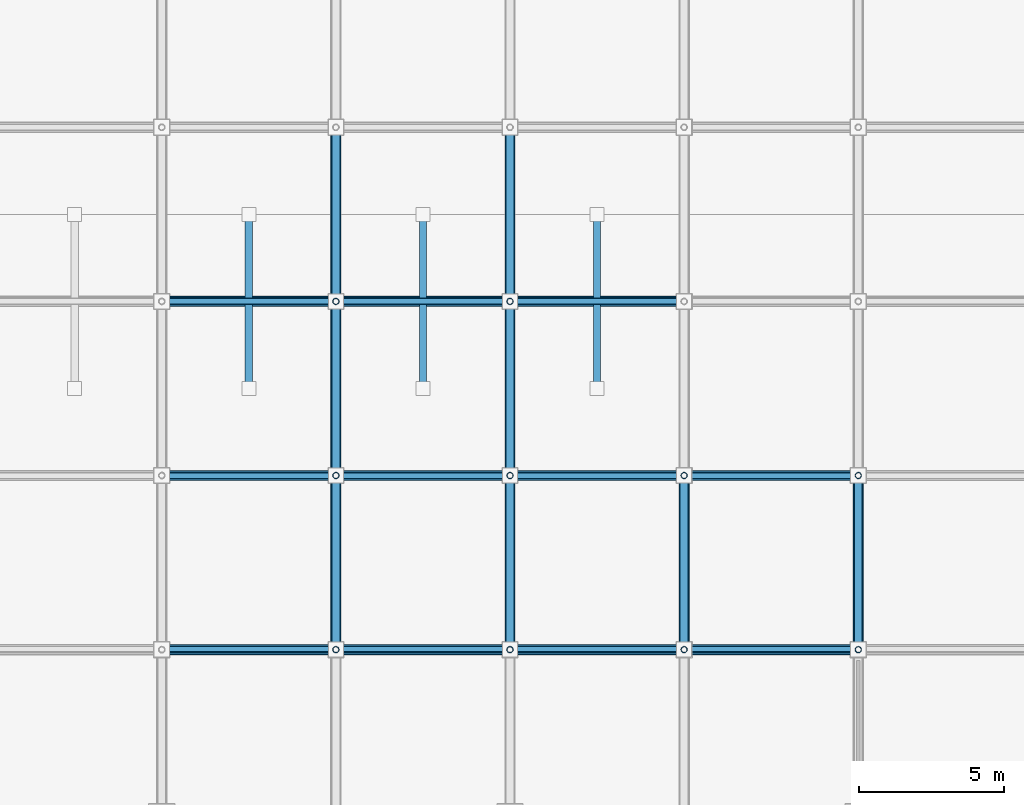
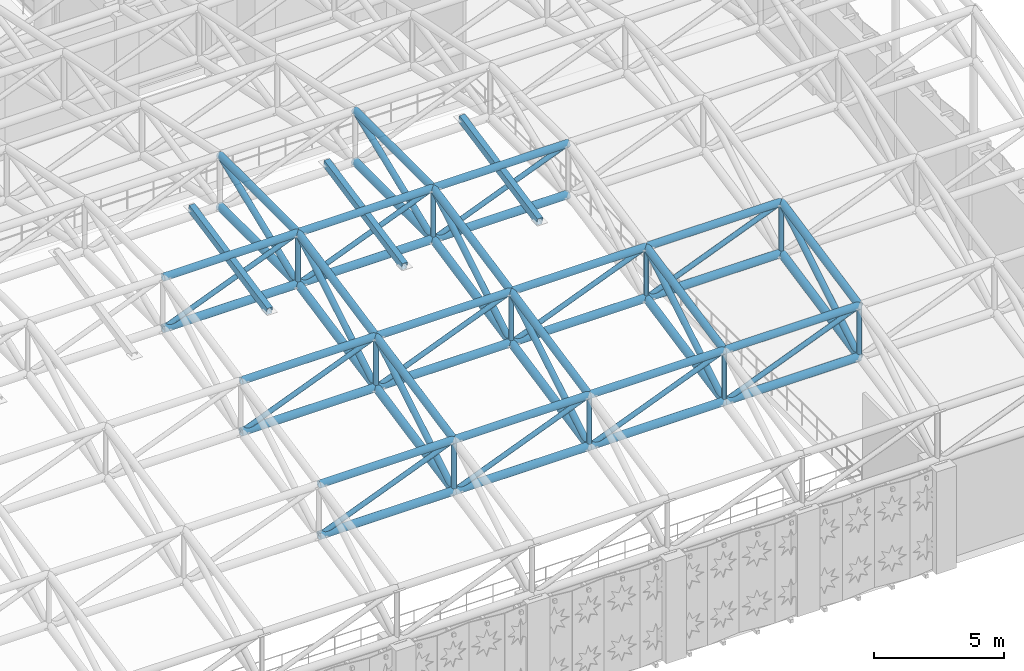
# One storey, part 20 of 112: 70 members.
"""IFC4 building model written with IfcOpenShell, lengths in metres."""

from ifc_helpers import new_model, si_unit, direction, frame, origin, origin_2d, place, context, subcontext, project, spatial, hollow_rectangle, hollow_circle, extrude, material, material_profile, profile_set, type_object, element, save


model = new_model("IFC4")

# Units and contexts
model_context = context("Model", 3, precision=1e-05, world=origin(), true_north=direction((0.0, 1.0)))
body_context = subcontext(model_context, "Body", "Model", "MODEL_VIEW")
ifc_project = project(units=[si_unit("LENGTHUNIT", "METRE"), si_unit("AREAUNIT", "SQUARE_METRE"), si_unit("VOLUMEUNIT", "CUBIC_METRE"), si_unit("PLANEANGLEUNIT", "RADIAN"), si_unit("MASSUNIT", "GRAM", prefix="KILO"), si_unit("THERMODYNAMICTEMPERATUREUNIT", "KELVIN"), si_unit("POWERUNIT", "WATT")], contexts=[model_context])

# Site, building, storey
site_placement = place(None, origin())
site = spatial("IfcSite", under=ifc_project, at=site_placement, CompositionType="ELEMENT")
building_placement = place(site_placement, origin())
building = spatial("IfcBuilding", under=site, at=building_placement, Name="Phaisarnlok Congress Hotel", CompositionType="ELEMENT")
storey_placement = place(building_placement, frame((0.0, 0.0, 19.800048828125)))
storey = spatial("IfcBuildingStorey", under=building, at=storey_placement, Name="L04", CompositionType="ELEMENT", Elevation=19.800048828125)

# Members
ifc_material = material(Name="Steel S355", Category="steel")
ifc_material_profile_1 = material_profile(ifc_material, hollow_circle(Radius=0.109619140625, WallThickness=0.012451171875, at=origin_2d()), Name="CHS 219.1x12.5")
ifc_profile_set_1 = profile_set([ifc_material_profile_1], Name="Steel S355")
member_type_1 = type_object("IfcMemberType", Name="MEM-BRC-CHS219", PredefinedType="BRACE", material=ifc_profile_set_1)
for number, where, z_axis, x_axis, name in (
    (1, (30.0, 48.0, 6.020751953125), (0.928481901832, 0.0, 0.371377648723), (0.0, 1.0, 0.0), "Congress Hall space frame web diagonal TB-02"),
    (2, (30.0, 54.0, 7.241455078125), (0.928481901832, 0.0, 0.371377648723), (0.0, 1.0, 0.0), "Congress Hall space frame web diagonal TB-02"),
    (3, (30.0, 60.0, 8.462158203125), (0.928481901832, 0.0, 0.371377648723), (0.0, 1.0, 0.0), "Congress Hall space frame web diagonal TB-02"),
):
    element("IfcMember", number, at=place(storey_placement, frame(where, z_axis=z_axis, x_axis=x_axis)), inside=storey, type_object=member_type_1, Name=name, PredefinedType="BRACE", context=body_context, shape_type="SweptSolid", body=[
        extrude(hollow_circle(Radius=0.109619140625, WallThickness=0.012451171875, at=origin_2d()), origin(), (0.0, 0.0, 1.0), 6.462158203125),
    ])
member_1_placement = place(storey_placement, frame((36.0, 48.0, 6.020751953125), z_axis=(0.0, 0.0, 1.0), x_axis=(1.0, 0.0, 0.0)))
element("IfcMember", 4, at=member_1_placement, inside=storey, type_object=member_type_1, Name="Congress Hall space frame vertical brace TB-02", PredefinedType="BRACE", context=body_context, shape_type="SweptSolid", body=[
    extrude(hollow_circle(Radius=0.109619140625, WallThickness=0.012451171875, at=origin_2d()), origin(), (0.0, 0.0, 1.0), 2.39990234375),
])
member_2_placement = place(storey_placement, frame((36.0, 48.0, 6.020751953125), z_axis=(0.928481901832, 0.0, 0.371377648723), x_axis=(0.0, 1.0, 0.0)))
element("IfcMember", 5, at=member_2_placement, inside=storey, type_object=member_type_1, Name="Congress Hall space frame web diagonal TB-02", PredefinedType="BRACE", context=body_context, shape_type="SweptSolid", body=[
    extrude(hollow_circle(Radius=0.109619140625, WallThickness=0.012451171875, at=origin_2d()), origin(), (0.0, 0.0, 1.0), 6.462158203125),
])
member_3_placement = place(storey_placement, frame((36.0, 54.0, 7.241455078125), z_axis=(0.0, 0.0, 1.0), x_axis=(1.0, 0.0, 0.0)))
element("IfcMember", 6, at=member_3_placement, inside=storey, type_object=member_type_1, Name="Congress Hall space frame vertical brace TB-02", PredefinedType="BRACE", context=body_context, shape_type="SweptSolid", body=[
    extrude(hollow_circle(Radius=0.109619140625, WallThickness=0.012451171875, at=origin_2d()), origin(), (0.0, 0.0, 1.0), 2.39990234375),
])
member_4_placement = place(storey_placement, frame((36.0, 54.0, 7.241455078125), z_axis=(0.928481901832, 0.0, 0.371377648723), x_axis=(0.0, 1.0, 0.0)))
element("IfcMember", 7, at=member_4_placement, inside=storey, type_object=member_type_1, Name="Congress Hall space frame web diagonal TB-02", PredefinedType="BRACE", context=body_context, shape_type="SweptSolid", body=[
    extrude(hollow_circle(Radius=0.109619140625, WallThickness=0.012451171875, at=origin_2d()), origin(), (0.0, 0.0, 1.0), 6.462158203125),
])
member_5_placement = place(storey_placement, frame((36.0, 60.0, 8.462158203125), z_axis=(0.0, 0.0, 1.0), x_axis=(1.0, 0.0, 0.0)))
element("IfcMember", 8, at=member_5_placement, inside=storey, type_object=member_type_1, Name="Congress Hall space frame vertical brace TB-02", PredefinedType="BRACE", context=body_context, shape_type="SweptSolid", body=[
    extrude(hollow_circle(Radius=0.109619140625, WallThickness=0.012451171875, at=origin_2d()), origin(), (0.0, 0.0, 1.0), 2.39990234375),
])
member_6_placement = place(storey_placement, frame((36.0, 60.0, 8.462158203125), z_axis=(0.928481901832, 0.0, 0.371377648723), x_axis=(0.0, 1.0, 0.0)))
element("IfcMember", 9, at=member_6_placement, inside=storey, type_object=member_type_1, Name="Congress Hall space frame web diagonal TB-02", PredefinedType="BRACE", context=body_context, shape_type="SweptSolid", body=[
    extrude(hollow_circle(Radius=0.109619140625, WallThickness=0.012451171875, at=origin_2d()), origin(), (0.0, 0.0, 1.0), 6.462158203125),
])
member_7_placement = place(storey_placement, frame((42.0, 48.0, 6.020751953125), z_axis=(0.0, 0.0, 1.0), x_axis=(1.0, 0.0, 0.0)))
element("IfcMember", 10, at=member_7_placement, inside=storey, type_object=member_type_1, Name="Congress Hall space frame vertical brace TB-02", PredefinedType="BRACE", context=body_context, shape_type="SweptSolid", body=[
    extrude(hollow_circle(Radius=0.109619140625, WallThickness=0.012451171875, at=origin_2d()), origin(), (0.0, 0.0, 1.0), 2.39990234375),
])
member_8_placement = place(storey_placement, frame((42.0, 48.0, 6.020751953125), z_axis=(0.928481901832, 0.0, 0.371377648723), x_axis=(0.0, 1.0, 0.0)))
element("IfcMember", 11, at=member_8_placement, inside=storey, type_object=member_type_1, Name="Congress Hall space frame web diagonal TB-02", PredefinedType="BRACE", context=body_context, shape_type="SweptSolid", body=[
    extrude(hollow_circle(Radius=0.109619140625, WallThickness=0.012451171875, at=origin_2d()), origin(), (0.0, 0.0, 1.0), 6.462158203125),
])
member_9_placement = place(storey_placement, frame((42.0, 54.0, 7.241455078125), z_axis=(0.0, 0.0, 1.0), x_axis=(1.0, 0.0, 0.0)))
element("IfcMember", 12, at=member_9_placement, inside=storey, type_object=member_type_1, Name="Congress Hall space frame vertical brace TB-02", PredefinedType="BRACE", context=body_context, shape_type="SweptSolid", body=[
    extrude(hollow_circle(Radius=0.109619140625, WallThickness=0.012451171875, at=origin_2d()), origin(), (0.0, 0.0, 1.0), 2.39990234375),
])
member_10_placement = place(storey_placement, frame((42.0, 54.0, 7.241455078125), z_axis=(0.928481901832, 0.0, 0.371377648723), x_axis=(0.0, 1.0, 0.0)))
element("IfcMember", 13, at=member_10_placement, inside=storey, type_object=member_type_1, Name="Congress Hall space frame web diagonal TB-02", PredefinedType="BRACE", context=body_context, shape_type="SweptSolid", body=[
    extrude(hollow_circle(Radius=0.109619140625, WallThickness=0.012451171875, at=origin_2d()), origin(), (0.0, 0.0, 1.0), 6.462158203125),
])
member_11_placement = place(storey_placement, frame((42.0, 60.0, 8.462158203125), z_axis=(0.0, 0.0, 1.0), x_axis=(1.0, 0.0, 0.0)))
element("IfcMember", 14, at=member_11_placement, inside=storey, type_object=member_type_1, Name="Congress Hall space frame vertical brace TB-02", PredefinedType="BRACE", context=body_context, shape_type="SweptSolid", body=[
    extrude(hollow_circle(Radius=0.109619140625, WallThickness=0.012451171875, at=origin_2d()), origin(), (0.0, 0.0, 1.0), 2.39990234375),
])
member_12_placement = place(storey_placement, frame((42.0, 60.0, 8.462158203125), z_axis=(0.928481901832, 0.0, 0.371377648723), x_axis=(0.0, 1.0, 0.0)))
element("IfcMember", 15, at=member_12_placement, inside=storey, type_object=member_type_1, Name="Congress Hall space frame web diagonal TB-02", PredefinedType="BRACE", context=body_context, shape_type="SweptSolid", body=[
    extrude(hollow_circle(Radius=0.109619140625, WallThickness=0.012451171875, at=origin_2d()), origin(), (0.0, 0.0, 1.0), 6.462158203125),
])
member_13_placement = place(storey_placement, frame((48.0, 48.0, 6.020751953125), z_axis=(0.0, 0.0, 1.0), x_axis=(1.0, 0.0, 0.0)))
element("IfcMember", 16, at=member_13_placement, inside=storey, type_object=member_type_1, Name="Congress Hall space frame vertical brace TB-02", PredefinedType="BRACE", context=body_context, shape_type="SweptSolid", body=[
    extrude(hollow_circle(Radius=0.109619140625, WallThickness=0.012451171875, at=origin_2d()), origin(), (0.0, 0.0, 1.0), 2.39990234375),
])
member_14_placement = place(storey_placement, frame((48.0, 48.0, 6.020751953125), z_axis=(0.928481901832, 0.0, 0.371377648723), x_axis=(0.0, 1.0, 0.0)))
element("IfcMember", 17, at=member_14_placement, inside=storey, type_object=member_type_1, Name="Congress Hall space frame web diagonal TB-02", PredefinedType="BRACE", context=body_context, shape_type="SweptSolid", body=[
    extrude(hollow_circle(Radius=0.109619140625, WallThickness=0.012451171875, at=origin_2d()), origin(), (0.0, 0.0, 1.0), 6.462158203125),
])
member_15_placement = place(storey_placement, frame((48.0, 54.0, 7.241455078125), z_axis=(0.0, 0.0, 1.0), x_axis=(1.0, 0.0, 0.0)))
element("IfcMember", 18, at=member_15_placement, inside=storey, type_object=member_type_1, Name="Congress Hall space frame vertical brace TB-02", PredefinedType="BRACE", context=body_context, shape_type="SweptSolid", body=[
    extrude(hollow_circle(Radius=0.109619140625, WallThickness=0.012451171875, at=origin_2d()), origin(), (0.0, 0.0, 1.0), 2.39990234375),
])
member_16_placement = place(storey_placement, frame((48.0, 54.0, 7.241455078125), z_axis=(0.928481901832, 0.0, 0.371377648723), x_axis=(0.0, 1.0, 0.0)))
element("IfcMember", 19, at=member_16_placement, inside=storey, type_object=member_type_1, Name="Congress Hall space frame web diagonal TB-02", PredefinedType="BRACE", context=body_context, shape_type="SweptSolid", body=[
    extrude(hollow_circle(Radius=0.109619140625, WallThickness=0.012451171875, at=origin_2d()), origin(), (0.0, 0.0, 1.0), 6.462158203125),
])
for number, where, z_axis, x_axis, name in (
    (20, (54.0, 48.0, 6.020751953125), (0.0, 0.0, 1.0), (1.0, 0.0, 0.0), "Congress Hall space frame vertical brace TB-02"),
    (21, (54.0, 54.0, 7.241455078125), (0.0, 0.0, 1.0), (1.0, 0.0, 0.0), "Congress Hall space frame vertical brace TB-02"),
):
    element("IfcMember", number, at=place(storey_placement, frame(where, z_axis=z_axis, x_axis=x_axis)), inside=storey, type_object=member_type_1, Name=name, PredefinedType="BRACE", context=body_context, shape_type="SweptSolid", body=[
        extrude(hollow_circle(Radius=0.109619140625, WallThickness=0.012451171875, at=origin_2d()), origin(), (0.0, 0.0, 1.0), 2.39990234375),
    ])
ifc_material_profile_2 = material_profile(ifc_material, hollow_circle(Radius=0.136474609375, WallThickness=0.01611328125, at=origin_2d()), Name="CHS 273x16")
ifc_profile_set_2 = profile_set([ifc_material_profile_2], Name="Steel S355")
member_type_2 = type_object("IfcMemberType", Name="MEM-BRC-CHS273", PredefinedType="BRACE", material=ifc_profile_set_2)
for number, where, z_axis, x_axis, name in (
    (22, (36.0, 48.0, 6.020751953125), (0.0, 0.856192975252, 0.516656161417), (-1.0, 0.0, 0.0), "Congress Hall space frame raking brace TB-03"),
    (23, (36.0, 54.0, 7.241455078125), (0.0, 0.856192975252, 0.516656161417), (-1.0, 0.0, 0.0), "Congress Hall space frame raking brace TB-03"),
):
    element("IfcMember", number, at=place(storey_placement, frame(where, z_axis=z_axis, x_axis=x_axis)), inside=storey, type_object=member_type_2, Name=name, PredefinedType="BRACE", context=body_context, shape_type="SweptSolid", body=[
        extrude(hollow_circle(Radius=0.136474609375, WallThickness=0.01611328125, at=origin_2d()), origin(), (0.0, 0.0, 1.0), 7.0078125),
    ])
member_17_placement = place(storey_placement, frame((36.0, 60.0, 8.462158203125), z_axis=(0.0, 0.928481901832, 0.371377648723), x_axis=(-1.0, 0.0, 0.0)))
element("IfcMember", 24, at=member_17_placement, inside=storey, type_object=member_type_2, Name="Congress Hall space frame raking brace TB-03", PredefinedType="BRACE", context=body_context, shape_type="SweptSolid", body=[
    extrude(hollow_circle(Radius=0.136474609375, WallThickness=0.01611328125, at=origin_2d()), origin(), (0.0, 0.0, 1.0), 6.462158203125),
])
for number, where, z_axis, x_axis, name in (
    (25, (42.0, 48.0, 6.020751953125), (0.0, 0.856192975252, 0.516656161417), (-1.0, 0.0, 0.0), "Congress Hall space frame raking brace TB-03"),
    (26, (42.0, 54.0, 7.241455078125), (0.0, 0.856192975252, 0.516656161417), (-1.0, 0.0, 0.0), "Congress Hall space frame raking brace TB-03"),
):
    element("IfcMember", number, at=place(storey_placement, frame(where, z_axis=z_axis, x_axis=x_axis)), inside=storey, type_object=member_type_2, Name=name, PredefinedType="BRACE", context=body_context, shape_type="SweptSolid", body=[
        extrude(hollow_circle(Radius=0.136474609375, WallThickness=0.01611328125, at=origin_2d()), origin(), (0.0, 0.0, 1.0), 7.0078125),
    ])
member_18_placement = place(storey_placement, frame((42.0, 60.0, 8.462158203125), z_axis=(0.0, 0.928481901832, 0.371377648723), x_axis=(-1.0, 0.0, 0.0)))
element("IfcMember", 27, at=member_18_placement, inside=storey, type_object=member_type_2, Name="Congress Hall space frame raking brace TB-03", PredefinedType="BRACE", context=body_context, shape_type="SweptSolid", body=[
    extrude(hollow_circle(Radius=0.136474609375, WallThickness=0.01611328125, at=origin_2d()), origin(), (0.0, 0.0, 1.0), 6.462158203125),
])
for number, where, z_axis, x_axis, name in (
    (28, (48.0, 48.0, 6.020751953125), (0.0, 0.856192975252, 0.516656161417), (-1.0, 0.0, 0.0), "Congress Hall space frame raking brace TB-03"),
    (29, (54.0, 48.0, 6.020751953125), (0.0, 0.856192975252, 0.516656161417), (-1.0, 0.0, 0.0), "Congress Hall space frame raking brace TB-03"),
):
    element("IfcMember", number, at=place(storey_placement, frame(where, z_axis=z_axis, x_axis=x_axis)), inside=storey, type_object=member_type_2, Name=name, PredefinedType="BRACE", context=body_context, shape_type="SweptSolid", body=[
        extrude(hollow_circle(Radius=0.136474609375, WallThickness=0.01611328125, at=origin_2d()), origin(), (0.0, 0.0, 1.0), 7.0078125),
    ])
ifc_material_profile_3 = material_profile(ifc_material, hollow_circle(Radius=0.161865234375, WallThickness=0.01611328125, at=origin_2d()), Name="CHS 323.9x16")
ifc_profile_set_3 = profile_set([ifc_material_profile_3], Name="Steel S355")
member_type_3 = type_object("IfcMemberType", Name="MEM-CHD-CHS324", PredefinedType="CHORD", material=ifc_profile_set_3)
for number, where, z_axis, x_axis, name in (
    (30, (30.0, 48.0, 8.420654296875), (1.0, 0.0, 0.0), (0.0, 1.0, 0.0), "Congress Hall space frame top chord TC-02"),
    (31, (30.0, 54.0, 9.641357421875), (1.0, 0.0, 0.0), (0.0, 1.0, 0.0), "Congress Hall space frame top chord TC-02"),
    (32, (30.0, 60.0, 10.862060546875), (1.0, 0.0, 0.0), (0.0, 1.0, 0.0), "Congress Hall space frame top chord TC-02"),
    (33, (36.0, 48.0, 8.420654296875), (1.0, 0.0, 0.0), (0.0, 1.0, 0.0), "Congress Hall space frame top chord TC-02"),
):
    element("IfcMember", number, at=place(storey_placement, frame(where, z_axis=z_axis, x_axis=x_axis)), inside=storey, type_object=member_type_3, Name=name, PredefinedType="CHORD", context=body_context, shape_type="SweptSolid", body=[
        extrude(hollow_circle(Radius=0.161865234375, WallThickness=0.01611328125, at=origin_2d()), origin(), (0.0, 0.0, 1.0), 6.0),
    ])
member_19_placement = place(storey_placement, frame((36.0, 48.0, 8.420654296875), z_axis=(0.0, 0.979925045119, 0.199366260807), x_axis=(-1.0, 0.0, 0.0)))
element("IfcMember", 34, at=member_19_placement, inside=storey, type_object=member_type_3, Name="Congress Hall space frame top chord TC-02", PredefinedType="CHORD", context=body_context, shape_type="SweptSolid", body=[
    extrude(hollow_circle(Radius=0.161865234375, WallThickness=0.01611328125, at=origin_2d()), origin(), (0.0, 0.0, 1.0), 6.122802734375),
])
member_20_placement = place(storey_placement, frame((36.0, 54.0, 9.641357421875), z_axis=(1.0, 0.0, 0.0), x_axis=(0.0, 1.0, 0.0)))
element("IfcMember", 35, at=member_20_placement, inside=storey, type_object=member_type_3, Name="Congress Hall space frame top chord TC-02", PredefinedType="CHORD", context=body_context, shape_type="SweptSolid", body=[
    extrude(hollow_circle(Radius=0.161865234375, WallThickness=0.01611328125, at=origin_2d()), origin(), (0.0, 0.0, 1.0), 6.0),
])
member_21_placement = place(storey_placement, frame((36.0, 54.0, 9.641357421875), z_axis=(0.0, 0.979925045119, 0.199366260807), x_axis=(-1.0, 0.0, 0.0)))
element("IfcMember", 36, at=member_21_placement, inside=storey, type_object=member_type_3, Name="Congress Hall space frame top chord TC-02", PredefinedType="CHORD", context=body_context, shape_type="SweptSolid", body=[
    extrude(hollow_circle(Radius=0.161865234375, WallThickness=0.01611328125, at=origin_2d()), origin(), (0.0, 0.0, 1.0), 6.122802734375),
])
for number, where, z_axis, x_axis, name in (
    (37, (36.0, 60.0, 10.862060546875), (1.0, 0.0, 0.0), (0.0, 1.0, 0.0), "Congress Hall space frame top chord TC-02"),
    (38, (36.0, 60.0, 10.862060546875), (0.0, 1.0, 0.0), (-1.0, 0.0, 0.0), "Congress Hall space frame top chord TC-02"),
    (39, (42.0, 48.0, 8.420654296875), (1.0, 0.0, 0.0), (0.0, 1.0, 0.0), "Congress Hall space frame top chord TC-02"),
):
    element("IfcMember", number, at=place(storey_placement, frame(where, z_axis=z_axis, x_axis=x_axis)), inside=storey, type_object=member_type_3, Name=name, PredefinedType="CHORD", context=body_context, shape_type="SweptSolid", body=[
        extrude(hollow_circle(Radius=0.161865234375, WallThickness=0.01611328125, at=origin_2d()), origin(), (0.0, 0.0, 1.0), 6.0),
    ])
member_22_placement = place(storey_placement, frame((42.0, 48.0, 8.420654296875), z_axis=(0.0, 0.979925045119, 0.199366260807), x_axis=(-1.0, 0.0, 0.0)))
element("IfcMember", 40, at=member_22_placement, inside=storey, type_object=member_type_3, Name="Congress Hall space frame top chord TC-02", PredefinedType="CHORD", context=body_context, shape_type="SweptSolid", body=[
    extrude(hollow_circle(Radius=0.161865234375, WallThickness=0.01611328125, at=origin_2d()), origin(), (0.0, 0.0, 1.0), 6.122802734375),
])
member_23_placement = place(storey_placement, frame((42.0, 54.0, 9.641357421875), z_axis=(1.0, 0.0, 0.0), x_axis=(0.0, 1.0, 0.0)))
element("IfcMember", 41, at=member_23_placement, inside=storey, type_object=member_type_3, Name="Congress Hall space frame top chord TC-02", PredefinedType="CHORD", context=body_context, shape_type="SweptSolid", body=[
    extrude(hollow_circle(Radius=0.161865234375, WallThickness=0.01611328125, at=origin_2d()), origin(), (0.0, 0.0, 1.0), 6.0),
])
member_24_placement = place(storey_placement, frame((42.0, 54.0, 9.641357421875), z_axis=(0.0, 0.979925045119, 0.199366260807), x_axis=(-1.0, 0.0, 0.0)))
element("IfcMember", 42, at=member_24_placement, inside=storey, type_object=member_type_3, Name="Congress Hall space frame top chord TC-02", PredefinedType="CHORD", context=body_context, shape_type="SweptSolid", body=[
    extrude(hollow_circle(Radius=0.161865234375, WallThickness=0.01611328125, at=origin_2d()), origin(), (0.0, 0.0, 1.0), 6.122802734375),
])
for number, where, z_axis, x_axis, name in (
    (43, (42.0, 60.0, 10.862060546875), (1.0, 0.0, 0.0), (0.0, 1.0, 0.0), "Congress Hall space frame top chord TC-02"),
    (44, (42.0, 60.0, 10.862060546875), (0.0, 1.0, 0.0), (-1.0, 0.0, 0.0), "Congress Hall space frame top chord TC-02"),
    (45, (48.0, 48.0, 8.420654296875), (1.0, 0.0, 0.0), (0.0, 1.0, 0.0), "Congress Hall space frame top chord TC-02"),
):
    element("IfcMember", number, at=place(storey_placement, frame(where, z_axis=z_axis, x_axis=x_axis)), inside=storey, type_object=member_type_3, Name=name, PredefinedType="CHORD", context=body_context, shape_type="SweptSolid", body=[
        extrude(hollow_circle(Radius=0.161865234375, WallThickness=0.01611328125, at=origin_2d()), origin(), (0.0, 0.0, 1.0), 6.0),
    ])
member_25_placement = place(storey_placement, frame((48.0, 48.0, 8.420654296875), z_axis=(0.0, 0.979925045119, 0.199366260807), x_axis=(-1.0, 0.0, 0.0)))
element("IfcMember", 46, at=member_25_placement, inside=storey, type_object=member_type_3, Name="Congress Hall space frame top chord TC-02", PredefinedType="CHORD", context=body_context, shape_type="SweptSolid", body=[
    extrude(hollow_circle(Radius=0.161865234375, WallThickness=0.01611328125, at=origin_2d()), origin(), (0.0, 0.0, 1.0), 6.122802734375),
])
member_26_placement = place(storey_placement, frame((48.0, 54.0, 9.641357421875), z_axis=(1.0, 0.0, 0.0), x_axis=(0.0, 1.0, 0.0)))
element("IfcMember", 47, at=member_26_placement, inside=storey, type_object=member_type_3, Name="Congress Hall space frame top chord TC-02", PredefinedType="CHORD", context=body_context, shape_type="SweptSolid", body=[
    extrude(hollow_circle(Radius=0.161865234375, WallThickness=0.01611328125, at=origin_2d()), origin(), (0.0, 0.0, 1.0), 6.0),
])
member_27_placement = place(storey_placement, frame((54.0, 48.0, 8.420654296875), z_axis=(0.0, 0.979925045119, 0.199366260807), x_axis=(-1.0, 0.0, 0.0)))
element("IfcMember", 48, at=member_27_placement, inside=storey, type_object=member_type_3, Name="Congress Hall space frame top chord TC-02", PredefinedType="CHORD", context=body_context, shape_type="SweptSolid", body=[
    extrude(hollow_circle(Radius=0.161865234375, WallThickness=0.01611328125, at=origin_2d()), origin(), (0.0, 0.0, 1.0), 6.122802734375),
])
ifc_material_profile_4 = material_profile(ifc_material, hollow_circle(Radius=0.177734375, WallThickness=0.02001953125, at=origin_2d()), Name="CHS 355.6x20")
ifc_profile_set_4 = profile_set([ifc_material_profile_4], Name="Steel S355")
member_type_4 = type_object("IfcMemberType", Name="MEM-CHD-CHS356", PredefinedType="CHORD", material=ifc_profile_set_4)
for number, where, z_axis, x_axis, name in (
    (49, (30.0, 48.0, 6.020751953125), (1.0, 0.0, 0.0), (0.0, 1.0, 0.0), "Congress Hall space frame bottom chord TC-01"),
    (50, (30.0, 54.0, 7.241455078125), (1.0, 0.0, 0.0), (0.0, 1.0, 0.0), "Congress Hall space frame bottom chord TC-01"),
    (51, (30.0, 60.0, 8.462158203125), (1.0, 0.0, 0.0), (0.0, 1.0, 0.0), "Congress Hall space frame bottom chord TC-01"),
    (52, (36.0, 48.0, 6.020751953125), (1.0, 0.0, 0.0), (0.0, 1.0, 0.0), "Congress Hall space frame bottom chord TC-01"),
):
    element("IfcMember", number, at=place(storey_placement, frame(where, z_axis=z_axis, x_axis=x_axis)), inside=storey, type_object=member_type_4, Name=name, PredefinedType="CHORD", context=body_context, shape_type="SweptSolid", body=[
        extrude(hollow_circle(Radius=0.177734375, WallThickness=0.02001953125, at=origin_2d()), origin(), (0.0, 0.0, 1.0), 6.0),
    ])
member_28_placement = place(storey_placement, frame((36.0, 48.0, 6.020751953125), z_axis=(0.0, 0.979925045119, 0.199366260807), x_axis=(-1.0, 0.0, 0.0)))
element("IfcMember", 53, at=member_28_placement, inside=storey, type_object=member_type_4, Name="Congress Hall space frame bottom chord TC-01", PredefinedType="CHORD", context=body_context, shape_type="SweptSolid", body=[
    extrude(hollow_circle(Radius=0.177734375, WallThickness=0.02001953125, at=origin_2d()), origin(), (0.0, 0.0, 1.0), 6.122802734375),
])
member_29_placement = place(storey_placement, frame((36.0, 54.0, 7.241455078125), z_axis=(1.0, 0.0, 0.0), x_axis=(0.0, 1.0, 0.0)))
element("IfcMember", 54, at=member_29_placement, inside=storey, type_object=member_type_4, Name="Congress Hall space frame bottom chord TC-01", PredefinedType="CHORD", context=body_context, shape_type="SweptSolid", body=[
    extrude(hollow_circle(Radius=0.177734375, WallThickness=0.02001953125, at=origin_2d()), origin(), (0.0, 0.0, 1.0), 6.0),
])
member_30_placement = place(storey_placement, frame((36.0, 54.0, 7.241455078125), z_axis=(0.0, 0.979925045119, 0.199366260807), x_axis=(-1.0, 0.0, 0.0)))
element("IfcMember", 55, at=member_30_placement, inside=storey, type_object=member_type_4, Name="Congress Hall space frame bottom chord TC-01", PredefinedType="CHORD", context=body_context, shape_type="SweptSolid", body=[
    extrude(hollow_circle(Radius=0.177734375, WallThickness=0.02001953125, at=origin_2d()), origin(), (0.0, 0.0, 1.0), 6.122802734375),
])
for number, where, z_axis, x_axis, name in (
    (56, (36.0, 60.0, 8.462158203125), (1.0, 0.0, 0.0), (0.0, 1.0, 0.0), "Congress Hall space frame bottom chord TC-01"),
    (57, (36.0, 60.0, 8.462158203125), (0.0, 1.0, 0.0), (-1.0, 0.0, 0.0), "Congress Hall space frame bottom chord TC-01"),
    (58, (42.0, 48.0, 6.020751953125), (1.0, 0.0, 0.0), (0.0, 1.0, 0.0), "Congress Hall space frame bottom chord TC-01"),
):
    element("IfcMember", number, at=place(storey_placement, frame(where, z_axis=z_axis, x_axis=x_axis)), inside=storey, type_object=member_type_4, Name=name, PredefinedType="CHORD", context=body_context, shape_type="SweptSolid", body=[
        extrude(hollow_circle(Radius=0.177734375, WallThickness=0.02001953125, at=origin_2d()), origin(), (0.0, 0.0, 1.0), 6.0),
    ])
member_31_placement = place(storey_placement, frame((42.0, 48.0, 6.020751953125), z_axis=(0.0, 0.979925045119, 0.199366260807), x_axis=(-1.0, 0.0, 0.0)))
element("IfcMember", 59, at=member_31_placement, inside=storey, type_object=member_type_4, Name="Congress Hall space frame bottom chord TC-01", PredefinedType="CHORD", context=body_context, shape_type="SweptSolid", body=[
    extrude(hollow_circle(Radius=0.177734375, WallThickness=0.02001953125, at=origin_2d()), origin(), (0.0, 0.0, 1.0), 6.122802734375),
])
member_32_placement = place(storey_placement, frame((42.0, 54.0, 7.241455078125), z_axis=(1.0, 0.0, 0.0), x_axis=(0.0, 1.0, 0.0)))
element("IfcMember", 60, at=member_32_placement, inside=storey, type_object=member_type_4, Name="Congress Hall space frame bottom chord TC-01", PredefinedType="CHORD", context=body_context, shape_type="SweptSolid", body=[
    extrude(hollow_circle(Radius=0.177734375, WallThickness=0.02001953125, at=origin_2d()), origin(), (0.0, 0.0, 1.0), 6.0),
])
member_33_placement = place(storey_placement, frame((42.0, 54.0, 7.241455078125), z_axis=(0.0, 0.979925045119, 0.199366260807), x_axis=(-1.0, 0.0, 0.0)))
element("IfcMember", 61, at=member_33_placement, inside=storey, type_object=member_type_4, Name="Congress Hall space frame bottom chord TC-01", PredefinedType="CHORD", context=body_context, shape_type="SweptSolid", body=[
    extrude(hollow_circle(Radius=0.177734375, WallThickness=0.02001953125, at=origin_2d()), origin(), (0.0, 0.0, 1.0), 6.122802734375),
])
for number, where, z_axis, x_axis, name in (
    (62, (42.0, 60.0, 8.462158203125), (1.0, 0.0, 0.0), (0.0, 1.0, 0.0), "Congress Hall space frame bottom chord TC-01"),
    (63, (42.0, 60.0, 8.462158203125), (0.0, 1.0, 0.0), (-1.0, 0.0, 0.0), "Congress Hall space frame bottom chord TC-01"),
    (64, (48.0, 48.0, 6.020751953125), (1.0, 0.0, 0.0), (0.0, 1.0, 0.0), "Congress Hall space frame bottom chord TC-01"),
):
    element("IfcMember", number, at=place(storey_placement, frame(where, z_axis=z_axis, x_axis=x_axis)), inside=storey, type_object=member_type_4, Name=name, PredefinedType="CHORD", context=body_context, shape_type="SweptSolid", body=[
        extrude(hollow_circle(Radius=0.177734375, WallThickness=0.02001953125, at=origin_2d()), origin(), (0.0, 0.0, 1.0), 6.0),
    ])
member_34_placement = place(storey_placement, frame((48.0, 48.0, 6.020751953125), z_axis=(0.0, 0.979925045119, 0.199366260807), x_axis=(-1.0, 0.0, 0.0)))
element("IfcMember", 65, at=member_34_placement, inside=storey, type_object=member_type_4, Name="Congress Hall space frame bottom chord TC-01", PredefinedType="CHORD", context=body_context, shape_type="SweptSolid", body=[
    extrude(hollow_circle(Radius=0.177734375, WallThickness=0.02001953125, at=origin_2d()), origin(), (0.0, 0.0, 1.0), 6.122802734375),
])
member_35_placement = place(storey_placement, frame((48.0, 54.0, 7.241455078125), z_axis=(1.0, 0.0, 0.0), x_axis=(0.0, 1.0, 0.0)))
element("IfcMember", 66, at=member_35_placement, inside=storey, type_object=member_type_4, Name="Congress Hall space frame bottom chord TC-01", PredefinedType="CHORD", context=body_context, shape_type="SweptSolid", body=[
    extrude(hollow_circle(Radius=0.177734375, WallThickness=0.02001953125, at=origin_2d()), origin(), (0.0, 0.0, 1.0), 6.0),
])
member_36_placement = place(storey_placement, frame((54.0, 48.0, 6.020751953125), z_axis=(0.0, 0.979925045119, 0.199366260807), x_axis=(-1.0, 0.0, 0.0)))
element("IfcMember", 67, at=member_36_placement, inside=storey, type_object=member_type_4, Name="Congress Hall space frame bottom chord TC-01", PredefinedType="CHORD", context=body_context, shape_type="SweptSolid", body=[
    extrude(hollow_circle(Radius=0.177734375, WallThickness=0.02001953125, at=origin_2d()), origin(), (0.0, 0.0, 1.0), 6.122802734375),
])
ifc_material_profile_5 = material_profile(ifc_material, hollow_rectangle(XDim=0.25, YDim=0.35009765625, WallThickness=0.01611328125, at=origin_2d()), Name="RHS 350x250x16")
ifc_profile_set_5 = profile_set([ifc_material_profile_5], Name="Steel S355")
member_type_5 = type_object("IfcMemberType", Name="MEM-PUR-RHS350", PredefinedType="PURLIN", material=ifc_profile_set_5)
for number, where, z_axis, x_axis, name in (
    (68, (33.0, 57.0, 10.0517578125), (0.0, 0.979925045119, 0.199366260807), (-1.0, 0.0, 0.0), "Congress Hall ridge purlin member PR-M1"),
    (69, (39.0, 57.0, 10.0517578125), (0.0, 0.979925045119, 0.199366260807), (-1.0, 0.0, 0.0), "Congress Hall ridge purlin member PR-M1"),
    (70, (45.0, 57.0, 10.0517578125), (0.0, 0.979925045119, 0.199366260807), (-1.0, 0.0, 0.0), "Congress Hall ridge purlin member PR-M1"),
):
    element("IfcMember", number, at=place(storey_placement, frame(where, z_axis=z_axis, x_axis=x_axis)), inside=storey, type_object=member_type_5, Name=name, PredefinedType="PURLIN", context=body_context, shape_type="SweptSolid", body=[
        extrude(hollow_rectangle(XDim=0.25, YDim=0.35009765625, WallThickness=0.01611328125, at=origin_2d()), origin(), (0.0, 0.0, 1.0), 6.122802734375),
    ])

save(model, "model.ifc")
